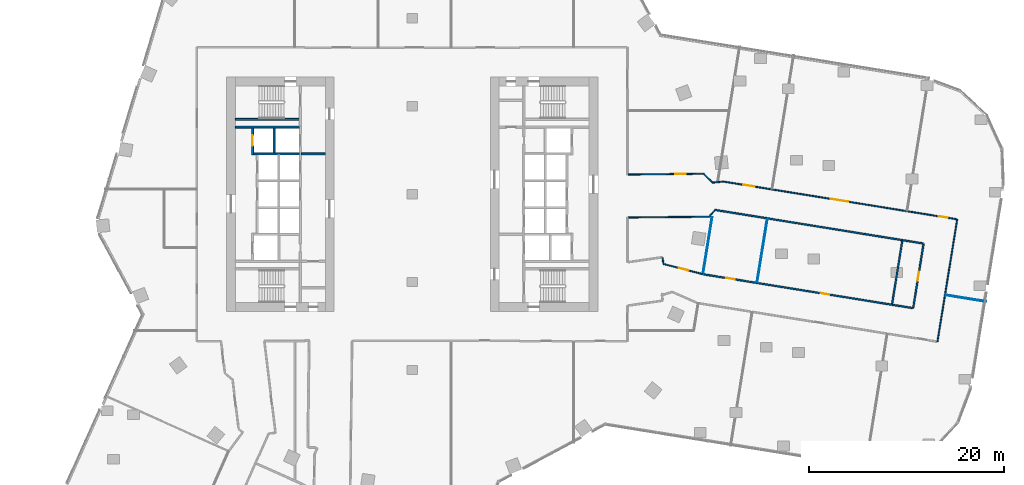
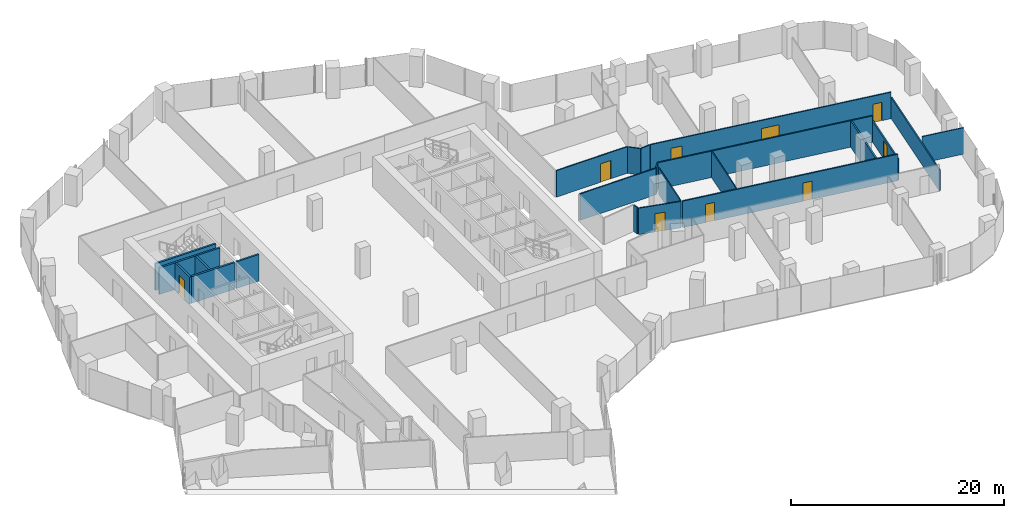
# One storey, part 28 of 34: 22 walls, 9 doors, 9 openings.
"""IFC4 building model written with IfcOpenShell, lengths in metres."""

from ifc_helpers import new_model, si_unit, direction, frame, frame_2d, origin, place, context, subcontext, project, spatial, rectangle, extrude, material, layer, layer_set, type_object, element, fill, save


model = new_model("IFC4")

# Units and contexts
model_context = context("Model", 3, precision=1e-05, world=origin(), true_north=direction((0.0, 1.0)))
body_context = subcontext(model_context, "Body", "Model", "MODEL_VIEW")
ifc_project = project(units=[si_unit("LENGTHUNIT", "METRE"), si_unit("AREAUNIT", "SQUARE_METRE"), si_unit("VOLUMEUNIT", "CUBIC_METRE"), si_unit("PLANEANGLEUNIT", "RADIAN"), si_unit("MASSUNIT", "GRAM", prefix="KILO")], contexts=[model_context])

# Site, building, storey
site_placement = place(None, origin())
site = spatial("IfcSite", under=ifc_project, at=site_placement, CompositionType="ELEMENT")
building_placement = place(site_placement, origin())
building = spatial("IfcBuilding", under=site, at=building_placement, Name="Orlundy Tower", CompositionType="ELEMENT")
storey_placement = place(building_placement, frame((0.0, 0.0, 137.699951171875)))
storey = spatial("IfcBuildingStorey", under=building, at=storey_placement, Name="L35", CompositionType="ELEMENT", Elevation=137.699951171875)

# Walls
ifc_material_1 = material(Name="Gypsum board partition")
ifc_layer_1 = layer(ifc_material_1, 0.10009765625)
ifc_layer_set_1 = layer_set([ifc_layer_1], Name="Floor partition 100")
wall_type_1 = type_object("IfcWallType", Name="Floor partition 100", PredefinedType="PARTITIONING", material=ifc_layer_set_1)
wall_1_placement = place(storey_placement, frame((54.614990234375, -10.33203125, 0.0), z_axis=(0.0, 0.0, 1.0), x_axis=(0.987227218169, -0.15931861067, 0.0)))
element("IfcWall", 1, at=wall_1_placement, inside=storey, type_object=wall_type_1, Name="wall-int-L35-026", PredefinedType="PARTITIONING", context=body_context, shape_type="SweptSolid", body=[
    extrude(rectangle(XDim=4.1865234375, YDim=0.10009765625, at=frame_2d((2.09326171875, 0.0))), origin(), (0.0, 0.0, 1.0), 3.030029296875),
])
wall_2_placement = place(storey_placement, frame((35.31494140625, -9.014892578125, 0.0), z_axis=(0.0, 0.0, 1.0), x_axis=(0.159269947871, 0.987235070135, 0.0)))
element("IfcWall", 2, at=wall_2_placement, inside=storey, type_object=wall_type_1, Name="wall-int-L35-068", PredefinedType="PARTITIONING", context=body_context, shape_type="SweptSolid", body=[
    extrude(rectangle(XDim=6.54833984375, YDim=0.10009765625, at=frame_2d((3.274169921875, 0.0))), origin(), (0.0, 0.0, 1.0), 3.030029296875),
])
wall_3_placement = place(storey_placement, frame((29.76904296875, -8.18994140625, 0.0), z_axis=(0.0, 0.0, 1.0), x_axis=(0.159194698691, 0.987247207091, 0.0)))
element("IfcWall", 3, at=wall_3_placement, inside=storey, type_object=wall_type_1, Name="wall-int-L35-071", PredefinedType="PARTITIONING", context=body_context, shape_type="SweptSolid", body=[
    extrude(rectangle(XDim=5.898193359375, YDim=0.10009765625, at=frame_2d((2.94921875, 0.0))), origin(), (0.0, 0.0, 1.0), 3.030029296875),
])
ifc_material_2 = material(Name="Gypsum board partition, double layer")
ifc_layer_2 = layer(ifc_material_2, 0.125)
ifc_layer_set_2 = layer_set([ifc_layer_2], Name="Floor partition 125")
wall_type_2 = type_object("IfcWallType", Name="Floor partition 125", PredefinedType="PARTITIONING", material=ifc_layer_set_2)
wall_4_placement = place(storey_placement, frame((29.883056640625, 2.02490234375, 0.0), z_axis=(0.0, 0.0, 1.0), x_axis=(0.729202519841, -0.684297950499, 0.0)))
element("IfcWall", 4, at=wall_4_placement, inside=storey, type_object=wall_type_2, Name="wall-int-L35-001", PredefinedType="PARTITIONING", context=body_context, shape_type="SweptSolid", body=[
    extrude(rectangle(XDim=1.228759765625, YDim=0.125, at=frame_2d((0.6142578125, 0.0))), origin(), (0.0, 0.0, 1.0), 3.030029296875),
])
wall_5_placement = place(storey_placement, frame((30.9619140625, -1.677978515625, 0.0), z_axis=(0.0, 0.0, 1.0), x_axis=(-0.66286801914, -0.748736261444, 0.0)))
element("IfcWall", 5, at=wall_5_placement, inside=storey, type_object=wall_type_2, Name="wall-int-L35-002", PredefinedType="PARTITIONING", context=body_context, shape_type="SweptSolid", body=[
    extrude(rectangle(XDim=0.841552734375, YDim=0.125, at=frame_2d((0.4208984375, 0.0))), origin(), (0.0, 0.0, 1.0), 3.030029296875),
])
wall_6_placement = place(storey_placement, frame((25.635009765625, -6.52001953125, 0.0), z_axis=(0.0, 0.0, 1.0), x_axis=(0.141799477861, -0.989895402595, 0.0)))
element("IfcWall", 6, at=wall_6_placement, inside=storey, type_object=wall_type_2, Name="wall-int-L35-007", PredefinedType="PARTITIONING", context=body_context, shape_type="SweptSolid", body=[
    extrude(rectangle(XDim=0.542236328125, YDim=0.125, at=frame_2d((0.27099609375, 0.0))), origin(), (0.0, 0.0, 1.0), 3.030029296875),
])

# Wall, opening, door
wall_7_placement = place(storey_placement, frame((25.72509765625, -7.14990234375, 0.0), z_axis=(0.0, 0.0, 1.0), x_axis=(0.968459487002, -0.249171069821, 0.0)))
wall_7 = element("IfcWall", 7, at=wall_7_placement, inside=storey, type_object=wall_type_2, Name="wall-int-L35-023", PredefinedType="PARTITIONING", context=body_context, shape_type="SweptSolid", body=[
    extrude(rectangle(XDim=4.1259765625, YDim=0.125, at=frame_2d((2.06298828125, 0.0))), origin(), (0.0, 0.0, 1.0), 3.030029296875),
])
opening_1_placement = place(wall_7_placement, frame((1.60009765625, 0.0, 0.0)))
opening_1 = element("IfcOpeningElement", 8, at=opening_1_placement, cuts=wall_7, Name="Opening 26127", PredefinedType="OPENING", context=body_context, shape_type="SweptSolid", body=[
    extrude(rectangle(XDim=1.0, YDim=2.10009765625, at=frame_2d((0.5, 1.050048828125))), frame((0.0, 0.072509765625, 0.0), z_axis=(0.0, -1.0, 0.0), x_axis=(1.0, 0.0, 0.0)), (0.0, 0.0, 1.0), 0.14501953125),
])
ifc_material_3 = material(Name="Timber door leaf", Category="wood")
door_type_1 = type_object("IfcDoorType", Name="Floor door wide 1000 FD30S", OperationType="NOTDEFINED", PredefinedType="DOOR", material=ifc_material_3)
door_1_placement = place(opening_1_placement, origin())
door_1 = element("IfcDoor", 9, at=door_1_placement, inside=storey, type_object=door_type_1, Name="Door 26127", OperationType="SINGLE_SWING_RIGHT", OverallHeight=2.10009765625, OverallWidth=1.0, PredefinedType="DOOR", context=body_context, shape_type="SweptSolid", body=[
    extrude(rectangle(XDim=1.0, YDim=2.10009765625, at=frame_2d((0.5, 1.050048828125))), frame((0.0, 0.02490234375, 0.0), z_axis=(0.0, -1.0, 0.0), x_axis=(1.0, 0.0, 0.0)), (0.0, 0.0, 1.0), 0.050048828125),
])
fill(opening_1, door_1)

# Wall, openings, doors
wall_8_placement = place(storey_placement, frame((31.908935546875, 1.283935546875, 0.0), z_axis=(0.0, 0.0, 1.0), x_axis=(0.987227629246, -0.159316063386, 0.0)))
wall_8 = element("IfcWall", 10, at=wall_8_placement, inside=storey, type_object=wall_type_2, Name="wall-int-L35-028", PredefinedType="PARTITIONING", context=body_context, shape_type="SweptSolid", body=[
    extrude(rectangle(XDim=24.140380859375, YDim=0.125, at=frame_2d((12.0703125, 0.0))), origin(), (0.0, 0.0, 1.0), 3.030029296875),
])
opening_2_placement = place(wall_8_placement, frame((2.03759765625, 0.0, 0.0)))
opening_2 = element("IfcOpeningElement", 11, at=opening_2_placement, cuts=wall_8, Name="Opening 26100", PredefinedType="OPENING", context=body_context, shape_type="SweptSolid", body=[
    extrude(rectangle(XDim=1.10009765625, YDim=2.10009765625, at=frame_2d((0.550048828125, 1.050048828125))), frame((0.0, 0.072509765625, 0.0), z_axis=(0.0, -1.0, 0.0), x_axis=(1.0, 0.0, 0.0)), (0.0, 0.0, 1.0), 0.14501953125),
])
opening_3_placement = place(wall_8_placement, frame((11.103271484375, 0.0, 0.0)))
opening_3 = element("IfcOpeningElement", 12, at=opening_3_placement, cuts=wall_8, Name="Opening 26101", PredefinedType="OPENING", context=body_context, shape_type="SweptSolid", body=[
    extrude(rectangle(XDim=1.800048828125, YDim=2.10009765625, at=frame_2d((0.89990234375, 1.050048828125))), frame((0.0, 0.072509765625, 0.0), z_axis=(0.0, -1.0, 0.0), x_axis=(1.0, 0.0, 0.0)), (0.0, 0.0, 1.0), 0.14501953125),
])
opening_4_placement = place(wall_8_placement, frame((22.302978515625, 0.0, 0.0)))
opening_4 = element("IfcOpeningElement", 13, at=opening_4_placement, cuts=wall_8, Name="Opening 26106", PredefinedType="OPENING", context=body_context, shape_type="SweptSolid", body=[
    extrude(rectangle(XDim=0.89990234375, YDim=2.10009765625, at=frame_2d((0.449951171875, 1.050048828125))), frame((0.0, 0.072509765625, 0.0), z_axis=(0.0, -1.0, 0.0), x_axis=(1.0, 0.0, 0.0)), (0.0, 0.0, 1.0), 0.14501953125),
])
ifc_material_4 = material(Name="Timber door leaf", Category="wood")
door_type_2 = type_object("IfcDoorType", Name="Floor door double 1800 FD30S", OperationType="NOTDEFINED", PredefinedType="DOOR", material=ifc_material_4)
door_2_placement = place(opening_3_placement, origin())
door_2 = element("IfcDoor", 14, at=door_2_placement, inside=storey, type_object=door_type_2, Name="Door 26101", OperationType="DOUBLE_DOOR_SINGLE_SWING", OverallHeight=2.10009765625, OverallWidth=1.800048828125, PredefinedType="DOOR", context=body_context, shape_type="SweptSolid", body=[
    extrude(rectangle(XDim=1.800048828125, YDim=2.10009765625, at=frame_2d((0.89990234375, 1.050048828125))), frame((0.0, 0.02490234375, 0.0), z_axis=(0.0, -1.0, 0.0), x_axis=(1.0, 0.0, 0.0)), (0.0, 0.0, 1.0), 0.050048828125),
])
fill(opening_3, door_2)
ifc_material_5 = material(Name="Timber door leaf", Category="wood")
door_type_3 = type_object("IfcDoorType", Name="Floor door single 900 FD30S", OperationType="NOTDEFINED", PredefinedType="DOOR", material=ifc_material_5)
door_3_placement = place(opening_4_placement, origin())
door_3 = element("IfcDoor", 15, at=door_3_placement, inside=storey, type_object=door_type_3, Name="Door 26106", OperationType="SINGLE_SWING_RIGHT", OverallHeight=2.10009765625, OverallWidth=0.89990234375, PredefinedType="DOOR", context=body_context, shape_type="SweptSolid", body=[
    extrude(rectangle(XDim=0.89990234375, YDim=2.10009765625, at=frame_2d((0.449951171875, 1.050048828125))), frame((0.0, 0.02490234375, 0.0), z_axis=(0.0, -1.0, 0.0), x_axis=(1.0, 0.0, 0.0)), (0.0, 0.0, 1.0), 0.050048828125),
])
fill(opening_4, door_3)
ifc_material_6 = material(Name="Timber door leaf", Category="wood")
door_type_4 = type_object("IfcDoorType", Name="Floor door xwide 1100 FD30S", OperationType="NOTDEFINED", PredefinedType="DOOR", material=ifc_material_6)
door_4_placement = place(opening_2_placement, origin())
door_4 = element("IfcDoor", 16, at=door_4_placement, inside=storey, type_object=door_type_4, Name="Door 26100", OperationType="SINGLE_SWING_LEFT", OverallHeight=2.10009765625, OverallWidth=1.10009765625, PredefinedType="DOOR", context=body_context, shape_type="SweptSolid", body=[
    extrude(rectangle(XDim=1.10009765625, YDim=2.10009765625, at=frame_2d((0.550048828125, 1.050048828125))), frame((0.0, 0.02490234375, 0.0), z_axis=(0.0, -1.0, 0.0), x_axis=(1.0, 0.0, 0.0)), (0.0, 0.0, 1.0), 0.050048828125),
])
fill(opening_2, door_4)

# Wall
wall_9_placement = place(storey_placement, frame((22.113037109375, -2.385986328125, 0.0), z_axis=(0.0, 0.0, 1.0), x_axis=(0.9999558849, 0.009392989614, 0.0)))
element("IfcWall", 17, at=wall_9_placement, inside=storey, type_object=wall_type_2, Name="wall-int-L35-044", PredefinedType="PARTITIONING", context=body_context, shape_type="SweptSolid", body=[
    extrude(rectangle(XDim=8.291259765625, YDim=0.125, at=frame_2d((4.1455078125, 0.0))), origin(), (0.0, 0.0, 1.0), 3.030029296875),
])

# Wall, opening, door
wall_10_placement = place(storey_placement, frame((22.113037109375, 2.014892578125, 0.0), z_axis=(0.0, 0.0, 1.0), x_axis=(0.999954346069, 0.00955540569, 0.0)))
wall_10 = element("IfcWall", 18, at=wall_10_placement, inside=storey, type_object=wall_type_2, Name="wall-int-L35-045", PredefinedType="PARTITIONING", context=body_context, shape_type="SweptSolid", body=[
    extrude(rectangle(XDim=7.76708984375, YDim=0.125, at=frame_2d((3.883544921875, 0.0))), origin(), (0.0, 0.0, 1.0), 3.030029296875),
])
opening_5_placement = place(wall_10_placement, frame((4.815673828125, 0.0, 0.0)))
opening_5 = element("IfcOpeningElement", 19, at=opening_5_placement, cuts=wall_10, Name="Opening 26128", PredefinedType="OPENING", context=body_context, shape_type="SweptSolid", body=[
    extrude(rectangle(XDim=1.10009765625, YDim=2.10009765625, at=frame_2d((0.550048828125, 1.050048828125))), frame((0.0, 0.072509765625, 0.0), z_axis=(0.0, -1.0, 0.0), x_axis=(1.0, 0.0, 0.0)), (0.0, 0.0, 1.0), 0.14501953125),
])
door_5_placement = place(opening_5_placement, origin())
door_5 = element("IfcDoor", 20, at=door_5_placement, inside=storey, type_object=door_type_4, Name="Door 26128", OperationType="SINGLE_SWING_RIGHT", OverallHeight=2.10009765625, OverallWidth=1.10009765625, PredefinedType="DOOR", context=body_context, shape_type="SweptSolid", body=[
    extrude(rectangle(XDim=1.10009765625, YDim=2.10009765625, at=frame_2d((0.550048828125, 1.050048828125))), frame((0.0, 0.02490234375, 0.0), z_axis=(0.0, -1.0, 0.0), x_axis=(1.0, 0.0, 0.0)), (0.0, 0.0, 1.0), 0.050048828125),
])
fill(opening_5, door_5)

# Walls
wall_11_placement = place(storey_placement, frame((31.846923828125, 1.2939453125, 0.0), z_axis=(0.0, 0.0, 1.0), x_axis=(-0.994749429213, -0.102340476256, 0.0)))
element("IfcWall", 21, at=wall_11_placement, inside=storey, type_object=wall_type_2, Name="wall-int-L35-046", PredefinedType="PARTITIONING", context=body_context, shape_type="SweptSolid", body=[
    extrude(rectangle(XDim=1.073486328125, YDim=0.125, at=frame_2d((0.53662109375, 0.0))), origin(), (0.0, 0.0, 1.0), 3.030029296875),
])
ifc_material_7 = material(Name="Gypsum board partition, double layer")
ifc_layer_3 = layer(ifc_material_7, 0.125)
ifc_layer_set_3 = layer_set([ifc_layer_3], Name="Floor partition 125 B")
wall_type_3 = type_object("IfcWallType", Name="Floor partition 125 B", PredefinedType="PARTITIONING", material=ifc_layer_set_3)
wall_12_placement = place(storey_placement, frame((53.780029296875, -15.111083984375, 0.0), z_axis=(0.0, 0.0, 1.0), x_axis=(0.159347260632, 0.987222594215, 0.0)))
element("IfcWall", 22, at=wall_12_placement, inside=storey, type_object=wall_type_3, Name="wall-int-L35-062", PredefinedType="PARTITIONING", context=body_context, shape_type="SweptSolid", body=[
    extrude(rectangle(XDim=12.701416015625, YDim=0.125, at=frame_2d((6.3505859375, 0.0))), origin(), (0.0, 0.0, 1.0), 2.4189453125),
])

# Wall, openings, doors
ifc_material_8 = material(Name="Blockwork shaft wall", Category="masonry")
ifc_layer_4 = layer(ifc_material_8, 0.14990234375)
ifc_layer_set_4 = layer_set([ifc_layer_4], Name="Floor shaft wall 150")
wall_type_4 = type_object("IfcWallType", Name="Floor shaft wall 150", PredefinedType="PARTITIONING", material=ifc_layer_set_4)
wall_13_placement = place(storey_placement, frame((29.885009765625, -8.215087890625, 0.0), z_axis=(0.0, 0.0, 1.0), x_axis=(0.987236652076, -0.1592601419, 0.0)))
wall_13 = element("IfcWall", 23, at=wall_13_placement, inside=storey, type_object=wall_type_4, Name="wall-int-L35-025", PredefinedType="PARTITIONING", context=body_context, shape_type="SweptSolid", body=[
    extrude(rectangle(XDim=21.61181640625, YDim=0.14990234375, at=frame_2d((10.805908203125, 0.0))), origin(), (0.0, 0.0, 1.0), 3.030029296875),
])
opening_6_placement = place(wall_13_placement, frame((2.300048828125, 0.0, 0.0)))
opening_6 = element("IfcOpeningElement", 24, at=opening_6_placement, cuts=wall_13, Name="Opening 26102", PredefinedType="OPENING", context=body_context, shape_type="SweptSolid", body=[
    extrude(rectangle(XDim=0.89990234375, YDim=2.10009765625, at=frame_2d((0.449951171875, 1.050048828125))), frame((0.0, 0.0849609375, 0.0), z_axis=(0.0, -1.0, 0.0), x_axis=(1.0, 0.0, 0.0)), (0.0, 0.0, 1.0), 0.169921875),
])
opening_7_placement = place(wall_13_placement, frame((12.087646484375, 0.0, 0.0)))
opening_7 = element("IfcOpeningElement", 25, at=opening_7_placement, cuts=wall_13, Name="Opening 26103", PredefinedType="OPENING", context=body_context, shape_type="SweptSolid", body=[
    extrude(rectangle(XDim=0.89990234375, YDim=2.10009765625, at=frame_2d((0.449951171875, 1.050048828125))), frame((0.0, 0.0849609375, 0.0), z_axis=(0.0, -1.0, 0.0), x_axis=(1.0, 0.0, 0.0)), (0.0, 0.0, 1.0), 0.169921875),
])
ifc_material_9 = material(Name="Timber door leaf", Category="wood")
door_type_5 = type_object("IfcDoorType", Name="Floor door single 900 FD60", OperationType="NOTDEFINED", PredefinedType="DOOR", material=ifc_material_9)
door_6_placement = place(opening_6_placement, origin())
door_6 = element("IfcDoor", 26, at=door_6_placement, inside=storey, type_object=door_type_5, Name="Door 26102", OperationType="SINGLE_SWING_LEFT", OverallHeight=2.10009765625, OverallWidth=0.89990234375, PredefinedType="DOOR", context=body_context, shape_type="SweptSolid", body=[
    extrude(rectangle(XDim=0.89990234375, YDim=2.10009765625, at=frame_2d((0.449951171875, 1.050048828125))), frame((0.0, 0.02490234375, 0.0), z_axis=(0.0, -1.0, 0.0), x_axis=(1.0, 0.0, 0.0)), (0.0, 0.0, 1.0), 0.050048828125),
])
fill(opening_6, door_6)
door_7_placement = place(opening_7_placement, origin())
door_7 = element("IfcDoor", 27, at=door_7_placement, inside=storey, type_object=door_type_5, Name="Door 26103", OperationType="SINGLE_SWING_RIGHT", OverallHeight=2.10009765625, OverallWidth=0.89990234375, PredefinedType="DOOR", context=body_context, shape_type="SweptSolid", body=[
    extrude(rectangle(XDim=0.89990234375, YDim=2.10009765625, at=frame_2d((0.449951171875, 1.050048828125))), frame((0.0, 0.02490234375, 0.0), z_axis=(0.0, -1.0, 0.0), x_axis=(1.0, 0.0, 0.0)), (0.0, 0.0, 1.0), 0.050048828125),
])
fill(opening_7, door_7)

# Walls
wall_14_placement = place(storey_placement, frame((30.9609375, -1.60302734375, 0.0), z_axis=(0.0, 0.0, 1.0), x_axis=(0.987228625593, -0.159309889241, 0.0)))
element("IfcWall", 28, at=wall_14_placement, inside=storey, type_object=wall_type_4, Name="wall-int-L35-027", PredefinedType="PARTITIONING", context=body_context, shape_type="SweptSolid", body=[
    extrude(rectangle(XDim=21.60498046875, YDim=0.14990234375, at=frame_2d((10.802490234375, 0.0))), origin(), (0.0, 0.0, 1.0), 3.030029296875),
])
wall_15_placement = place(storey_placement, frame((49.135986328125, -11.24609375, 0.0), z_axis=(0.0, 0.0, 1.0), x_axis=(0.159264085933, 0.98723601582, 0.0)))
element("IfcWall", 29, at=wall_15_placement, inside=storey, type_object=wall_type_4, Name="wall-int-L35-065", PredefinedType="PARTITIONING", context=body_context, shape_type="SweptSolid", body=[
    extrude(rectangle(XDim=6.548583984375, YDim=0.14990234375, at=frame_2d((3.2744140625, 0.0))), origin(), (0.0, 0.0, 1.0), 3.030029296875),
])

# Wall, opening, door
ifc_material_10 = material(Name="Blockwork shaft wall", Category="masonry")
ifc_layer_5 = layer(ifc_material_10, 0.14990234375)
ifc_layer_set_5 = layer_set([ifc_layer_5], Name="Floor shaft wall 150 B")
wall_type_5 = type_object("IfcWallType", Name="Floor shaft wall 150 B", PredefinedType="PARTITIONING", material=ifc_layer_set_5)
wall_16_placement = place(storey_placement, frame((51.294921875, -11.669921875, 0.0), z_axis=(0.0, 0.0, 1.0), x_axis=(0.159450148398, 0.987205981635, 0.0)))
wall_16 = element("IfcWall", 30, at=wall_16_placement, inside=storey, type_object=wall_type_5, Name="wall-int-L35-063", PredefinedType="PARTITIONING", context=body_context, shape_type="SweptSolid", body=[
    extrude(rectangle(XDim=6.69873046875, YDim=0.14990234375, at=frame_2d((3.349365234375, 0.0))), origin(), (0.0, 0.0, 1.0), 2.4189453125),
])
opening_8_placement = place(wall_16_placement, frame((2.85009765625, 0.0, 0.0)))
opening_8 = element("IfcOpeningElement", 31, at=opening_8_placement, cuts=wall_16, Name="Opening 26104", PredefinedType="OPENING", context=body_context, shape_type="SweptSolid", body=[
    extrude(rectangle(XDim=0.89990234375, YDim=2.10009765625, at=frame_2d((0.449951171875, 1.050048828125))), frame((0.0, 0.0849609375, 0.0), z_axis=(0.0, -1.0, 0.0), x_axis=(1.0, 0.0, 0.0)), (0.0, 0.0, 1.0), 0.169921875),
])
door_8_placement = place(opening_8_placement, origin())
door_8 = element("IfcDoor", 32, at=door_8_placement, inside=storey, type_object=door_type_5, Name="Door 26104", OperationType="SINGLE_SWING_LEFT", OverallHeight=2.10009765625, OverallWidth=0.89990234375, PredefinedType="DOOR", context=body_context, shape_type="SweptSolid", body=[
    extrude(rectangle(XDim=0.89990234375, YDim=2.10009765625, at=frame_2d((0.449951171875, 1.050048828125))), frame((0.0, 0.02490234375, 0.0), z_axis=(0.0, -1.0, 0.0), x_axis=(1.0, 0.0, 0.0)), (0.0, 0.0, 1.0), 0.050048828125),
])
fill(opening_8, door_8)

# Walls
ifc_material_11 = material(Name="Concrete C40/50", Category="concrete")
ifc_layer_6 = layer(ifc_material_11, 0.199951171875)
ifc_layer_set_6 = layer_set([ifc_layer_6], Name="Load-bearing Shaft Wall 200")
wall_type_6 = type_object("IfcWallType", Name="Load-bearing Shaft Wall 200", PredefinedType="SOLIDWALL", material=ifc_layer_set_6)
wall_17_placement = place(storey_placement, frame((-11.5400390625, 6.875, 0.0), z_axis=(0.0, 0.0, 1.0), x_axis=(-1.0, 0.0, 0.0)))
element("IfcWall", 33, at=wall_17_placement, inside=storey, type_object=wall_type_6, Name="Shaft wall W26-zone-n", PredefinedType="SOLIDWALL", context=body_context, shape_type="SweptSolid", body=[
    extrude(rectangle(XDim=6.56005859375, YDim=0.199951171875, at=frame_2d((3.280029296875, 0.0))), origin(), (0.0, 0.0, 1.0), 3.050048828125),
])
wall_18_placement = place(storey_placement, frame((-11.5400390625, 4.125, 0.0), z_axis=(0.0, 0.0, 1.0), x_axis=(-1.0, 0.0, 0.0)))
element("IfcWall", 34, at=wall_18_placement, inside=storey, type_object=wall_type_6, Name="Shaft wall W26-cross+4.125", PredefinedType="SOLIDWALL", context=body_context, shape_type="SweptSolid", body=[
    extrude(rectangle(XDim=4.699951171875, YDim=0.199951171875, at=frame_2d((2.35009765625, 0.0))), origin(), (0.0, 0.0, 1.0), 3.050048828125),
])
wall_19_placement = place(storey_placement, frame((-14.139892578125, 4.22509765625, 0.0), z_axis=(0.0, 0.0, 1.0), x_axis=(0.0, 1.0, 0.0)))
element("IfcWall", 35, at=wall_19_placement, inside=storey, type_object=wall_type_6, Name="Shaft wall W26-mid-b", PredefinedType="SOLIDWALL", context=body_context, shape_type="SweptSolid", body=[
    extrude(rectangle(XDim=2.5498046875, YDim=0.199951171875, at=frame_2d((1.27490234375, 0.0))), origin(), (0.0, 0.0, 1.0), 3.050048828125),
])

# Wall, opening, door
wall_20_placement = place(storey_placement, frame((-16.340087890625, 4.02490234375, 0.0), z_axis=(0.0, 0.0, 1.0), x_axis=(0.0, 1.0, 0.0)))
wall_20 = element("IfcWall", 36, at=wall_20_placement, inside=storey, type_object=wall_type_6, Name="Shaft wall W26-front-o-c", PredefinedType="SOLIDWALL", context=body_context, shape_type="SweptSolid", body=[
    extrude(rectangle(XDim=2.75, YDim=0.199951171875, at=frame_2d((1.375, 0.0))), origin(), (0.0, 0.0, 1.0), 3.050048828125),
])
opening_9_placement = place(wall_20_placement, frame((0.925048828125, 0.0, 0.0)))
opening_9 = element("IfcOpeningElement", 37, at=opening_9_placement, cuts=wall_20, Name="Opening 26007", PredefinedType="OPENING", context=body_context, shape_type="SweptSolid", body=[
    extrude(rectangle(XDim=1.10009765625, YDim=2.10009765625, at=frame_2d((0.550048828125, 1.050048828125))), frame((0.0, 0.110107421875, 0.0), z_axis=(0.0, -1.0, 0.0), x_axis=(1.0, 0.0, 0.0)), (0.0, 0.0, 1.0), 0.22021484375),
])
ifc_material_12 = material(Name="Steel door set", Category="steel")
door_type_6 = type_object("IfcDoorType", Name="Landing Door 1100x2100", OperationType="DOUBLE_DOOR_SLIDING", PredefinedType="DOOR", material=ifc_material_12)
door_9_placement = place(opening_9_placement, origin())
door_9 = element("IfcDoor", 38, at=door_9_placement, inside=storey, type_object=door_type_6, Name="Lift landing door LP-04 26007", OperationType="DOUBLE_DOOR_SLIDING", OverallHeight=2.10009765625, OverallWidth=1.10009765625, PredefinedType="DOOR", context=body_context, shape_type="SweptSolid", body=[
    extrude(rectangle(XDim=1.10009765625, YDim=2.10009765625, at=frame_2d((0.550048828125, 1.050048828125))), frame((0.0, 0.02490234375, 0.0), z_axis=(0.0, -1.0, 0.0), x_axis=(1.0, 0.0, 0.0)), (0.0, 0.0, 1.0), 0.050048828125),
])
fill(opening_9, door_9)

# Walls
wall_21_placement = place(storey_placement, frame((-11.5400390625, 7.64990234375, 0.0), z_axis=(0.0, 0.0, 1.0), x_axis=(-1.0, 0.0, 0.0)))
element("IfcWall", 39, at=wall_21_placement, inside=storey, type_object=wall_type_6, Name="Shaft wall W26-stair-side-n", PredefinedType="SOLIDWALL", context=body_context, shape_type="SweptSolid", body=[
    extrude(rectangle(XDim=6.56005859375, YDim=0.199951171875, at=frame_2d((3.280029296875, 0.0))), origin(), (0.0, 0.0, 1.0), 3.050048828125),
])
ifc_material_13 = material(Name="Gypsum board partition on steel studs", Category="steel")
ifc_layer_7 = layer(ifc_material_13, 0.199951171875)
ifc_layer_set_7 = layer_set([ifc_layer_7], Name="Partition 200")
wall_type_7 = type_object("IfcWallType", Name="Partition 200", PredefinedType="PARTITIONING", material=ifc_layer_set_7)
wall_22_placement = place(storey_placement, frame((-8.89990234375, 4.125, 0.0), z_axis=(0.0, 0.0, 1.0), x_axis=(-1.0, 0.0, 0.0)))
element("IfcWall", 40, at=wall_22_placement, inside=storey, type_object=wall_type_7, Name="Partition wall W26-lobby-n", PredefinedType="PARTITIONING", context=body_context, shape_type="SweptSolid", body=[
    extrude(rectangle(XDim=2.440185546875, YDim=0.199951171875, at=frame_2d((1.22021484375, 0.0))), origin(), (0.0, 0.0, 1.0), 3.050048828125),
])

save(model, "model.ifc")
